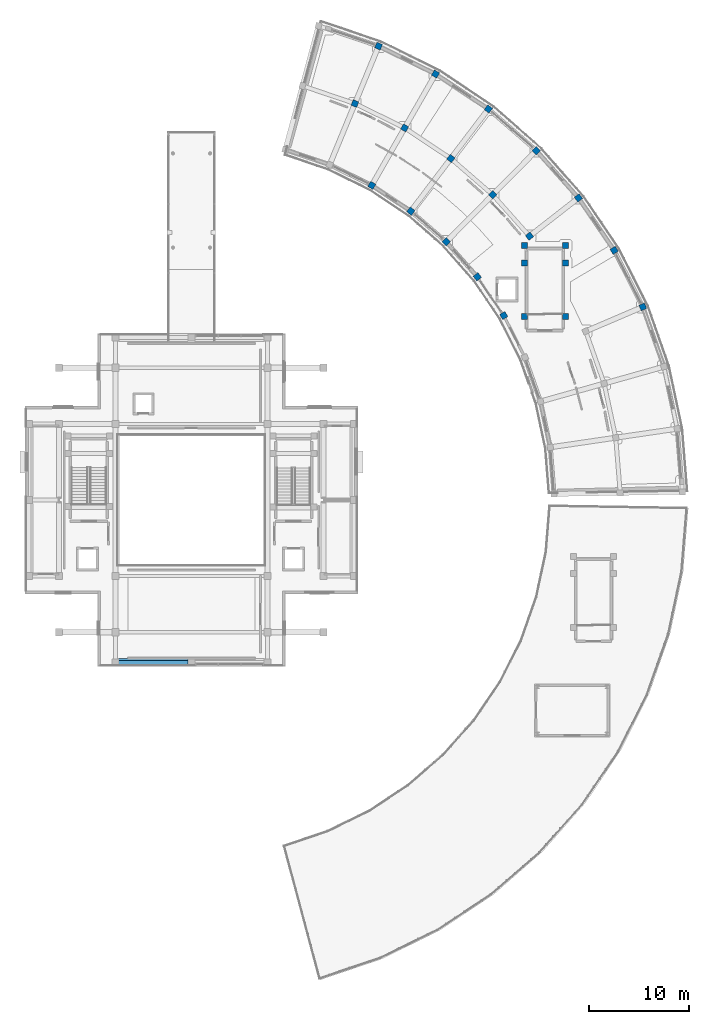
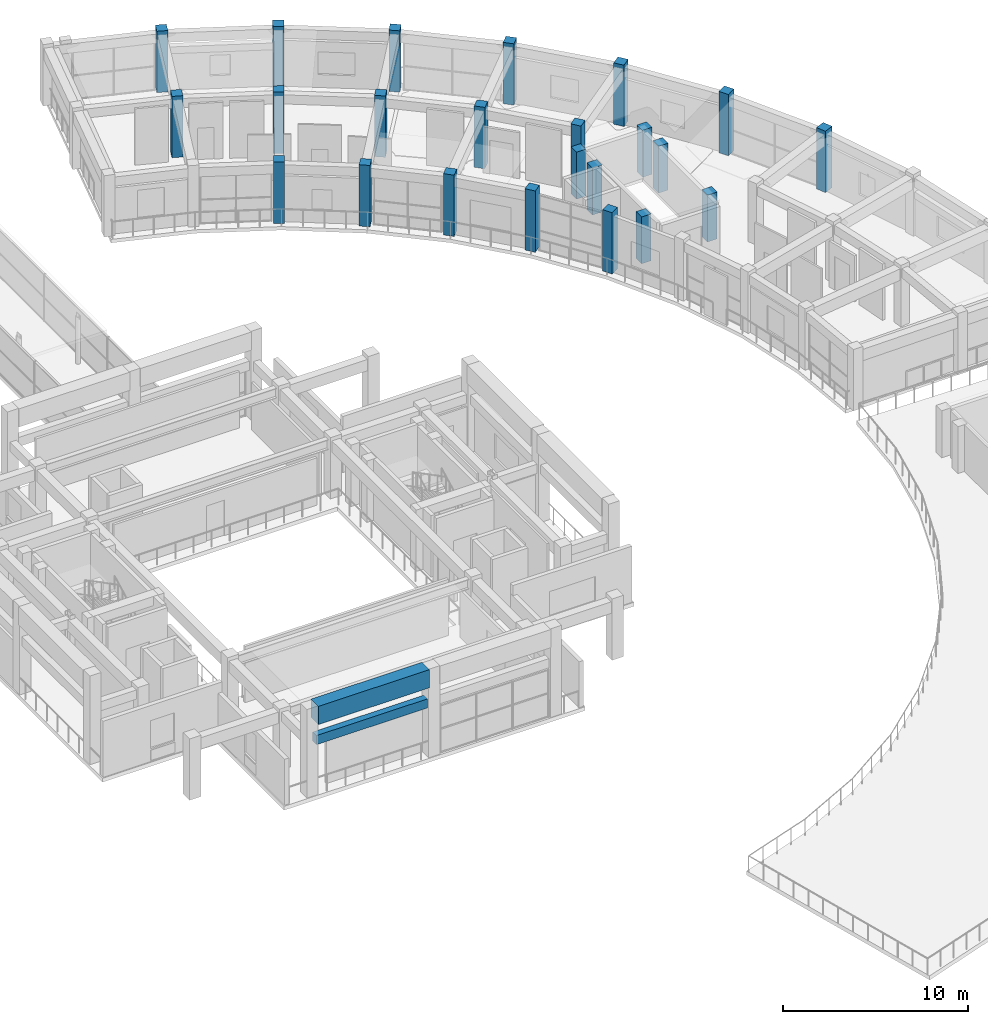
# One storey, part 6 of 29: 23 columns, 2 beams.
"""IFC4 building model written with IfcOpenShell, lengths in metres."""

from ifc_helpers import new_model, si_unit, direction, frame, origin, origin_2d, place, context, subcontext, project, spatial, rectangle, extrude, material, material_profile, profile_set, type_object, element, save


model = new_model("IFC4")

# Units and contexts
model_context = context("Model", 3, precision=1e-05, world=origin(), true_north=direction((0.0, 1.0)))
body_context = subcontext(model_context, "Body", "Model", "MODEL_VIEW")
ifc_project = project(units=[si_unit("LENGTHUNIT", "METRE"), si_unit("AREAUNIT", "SQUARE_METRE"), si_unit("VOLUMEUNIT", "CUBIC_METRE"), si_unit("PLANEANGLEUNIT", "RADIAN"), si_unit("MASSUNIT", "GRAM", prefix="KILO")], contexts=[model_context])

# Site, building, storey
site_placement = place(None, origin())
site = spatial("IfcSite", under=ifc_project, at=site_placement, CompositionType="ELEMENT")
building_placement = place(site_placement, origin())
building = spatial("IfcBuilding", under=site, at=building_placement, Name="Saryqyr Civic Hall", CompositionType="ELEMENT")
storey_placement = place(building_placement, frame((0.0, 0.0, 25.35009765625)))
storey = spatial("IfcBuildingStorey", under=building, at=storey_placement, Name="L06", CompositionType="ELEMENT", Elevation=25.35009765625)

# Columns
ifc_material_1 = material(Name="Concrete C40/50", Category="concrete")
ifc_material_profile_1 = material_profile(ifc_material_1, rectangle(XDim=0.60009765625, YDim=0.60009765625, at=origin_2d()), Name="RC 600x600")
ifc_profile_set_1 = profile_set([ifc_material_profile_1], Name="Concrete C40/50")
column_type = type_object("IfcColumnType", Name="STR-COL-RC600-C40", PredefinedType="COLUMN", material=ifc_profile_set_1)
for number, where, z_axis, x_axis, name in (
    (1, (102.04931640625, 103.275634765625, 0.0), (0.0, 0.0, 1.0), (0.919410138581, 0.393300136124, 0.0), "Column V6-COL-OUT03-L06"),
    (2, (88.16845703125, 102.410888671875, 0.0), (0.0, 0.0, 1.0), (0.861008442465, 0.508590662521, 0.0), "Column V6-COL-IN04-L06"),
    (3, (99.189453125, 108.9208984375, 0.0), (0.0, 0.0, 1.0), (0.861008442465, 0.508590662521, 0.0), "Column V6-COL-OUT04-L06"),
    (4, (85.53564453125, 106.2744140625, 0.0), (0.0, 0.0, 1.0), (0.78822561199, 0.615386370179, 0.0), "Column V6-COL-IN05-L06"),
    (5, (90.73828125, 110.335693359375, 0.0), (0.0, 0.0, 1.0), (0.78822561199, 0.615386370179, 0.0), "Column V6-COL-MID05-L06"),
    (6, (95.625732421875, 114.150634765625, 0.0), (0.0, 0.0, 1.0), (0.78822561199, 0.615386370179, 0.0), "Column V6-COL-OUT05-L06"),
    (7, (82.427001953125, 109.7666015625, 0.0), (0.0, 0.0, 1.0), (0.70240155419, 0.711780904964, 0.0), "Column V6-COL-IN06-L06"),
    (8, (87.062744140625, 114.464111328125, 0.0), (0.0, 0.0, 1.0), (0.70240155419, 0.711780904964, 0.0), "Column V6-COL-MID06-L06"),
    (9, (91.417724609375, 118.877197265625, 0.0), (0.0, 0.0, 1.0), (0.70240155419, 0.711780904964, 0.0), "Column V6-COL-OUT06-L06"),
    (10, (78.89404296875, 112.82861328125, 0.0), (0.0, 0.0, 1.0), (0.60473812635, 0.796424383441, 0.0), "Column V6-COL-IN07-L06"),
    (11, (82.8857421875, 118.084716796875, 0.0), (0.0, 0.0, 1.0), (0.60473812635, 0.796424383441, 0.0), "Column V6-COL-MID07-L06"),
    (12, (86.635498046875, 123.022216796875, 0.0), (0.0, 0.0, 1.0), (0.60473812635, 0.796424383441, 0.0), "Column V6-COL-OUT07-L06"),
    (13, (74.995849609375, 115.409912109375, 0.0), (0.0, 0.0, 1.0), (0.4971254071, 0.867678701833, 0.0), "Column V6-COL-IN08-L06"),
    (14, (78.277099609375, 121.13671875, 0.0), (0.0, 0.0, 1.0), (0.4971254071, 0.867678701833, 0.0), "Column V6-COL-MID08-L06"),
    (15, (81.359130859375, 126.516357421875, 0.0), (0.0, 0.0, 1.0), (0.4971254071, 0.867678701833, 0.0), "Column V6-COL-OUT08-L06"),
    (16, (73.313232421875, 123.569091796875, 0.0), (0.0, 0.0, 1.0), (0.381231734269, 0.924479510204, 0.0), "Column V6-COL-MID09-L06"),
    (17, (75.676513671875, 129.301025390625, 0.0), (0.0, 0.0, 1.0), (0.381231734269, 0.924479510204, 0.0), "Column V6-COL-OUT09-L06"),
):
    element("IfcColumn", number, at=place(storey_placement, frame(where, z_axis=z_axis, x_axis=x_axis)), inside=storey, type_object=column_type, Name=name, PredefinedType="COLUMN", context=body_context, shape_type="SweptSolid", body=[
        extrude(rectangle(XDim=0.60009765625, YDim=0.60009765625, at=origin_2d()), origin(), (0.0, 0.0, 1.0), 4.0498046875),
    ])
for number, where, z_axis, x_axis, name in (
    (18, (94.340087890625, 102.3349609375, 0.0), (0.0, 0.0, 1.0), (1.0, 0.0, 0.0), "Column ST-6-SCOL-TRMA-L06"),
    (19, (90.219970703125, 102.3349609375, 0.0), (0.0, 0.0, 1.0), (1.0, 0.0, 0.0), "Column ST-6-SCOL-TRMB-L06"),
    (20, (94.340087890625, 107.64990234375, 0.0), (0.0, 0.0, 1.0), (1.0, 0.0, 0.0), "Column ST-6-SCOL-LND1A-L06"),
    (21, (90.219970703125, 107.64990234375, 0.0), (0.0, 0.0, 1.0), (1.0, 0.0, 0.0), "Column ST-6-SCOL-LND1B-L06"),
    (22, (94.340087890625, 109.3798828125, 0.0), (0.0, 0.0, 1.0), (1.0, 0.0, 0.0), "Column ST-6-SCOL-LND2A-L06"),
    (23, (90.219970703125, 109.3798828125, 0.0), (0.0, 0.0, 1.0), (1.0, 0.0, 0.0), "Column ST-6-SCOL-LND2B-L06"),
):
    element("IfcColumn", number, at=place(storey_placement, frame(where, z_axis=z_axis, x_axis=x_axis)), inside=storey, type_object=column_type, Name=name, PredefinedType="COLUMN", context=body_context, shape_type="SweptSolid", body=[
        extrude(rectangle(XDim=0.60009765625, YDim=0.60009765625, at=origin_2d()), origin(), (0.0, 0.0, 1.0), 3.099853515625),
    ])

# Beams
ifc_material_2 = material(Name="Concrete C35/45", Category="concrete")
ifc_material_profile_2 = material_profile(ifc_material_2, rectangle(XDim=0.39990234375, YDim=0.60009765625, at=origin_2d()), Name="RC 400x600")
ifc_profile_set_2 = profile_set([ifc_material_profile_2], Name="Concrete C35/45")
beam_type_1 = type_object("IfcBeamType", Name="STR-BM-RC400x600", PredefinedType="BEAM", material=ifc_profile_set_2)
beam_1_placement = place(storey_placement, frame((49.72509765625, 67.800048828125, 3.5), z_axis=(1.0, 0.0, 0.0), x_axis=(0.0, 1.0, 0.0)))
element("IfcBeam", 24, at=beam_1_placement, inside=storey, type_object=beam_type_1, Name="Beam V1-TBM-15-L06", PredefinedType="BEAM", context=body_context, shape_type="SweptSolid", body=[
    extrude(rectangle(XDim=0.39990234375, YDim=0.60009765625, at=origin_2d()), origin(), (0.0, 0.0, 1.0), 6.949951171875),
])
ifc_material_profile_3 = material_profile(ifc_material_1, rectangle(XDim=0.800048828125, YDim=1.199951171875, at=origin_2d()), Name="RC 800x1200")
ifc_profile_set_3 = profile_set([ifc_material_profile_3], Name="Concrete C40/50")
beam_type_2 = type_object("IfcBeamType", Name="STR-BM-RING-RC800x1200", PredefinedType="BEAM", material=ifc_profile_set_3)
beam_2_placement = place(storey_placement, frame((49.72509765625, 67.800048828125, 5.25), z_axis=(1.0, 0.0, 0.0), x_axis=(0.0, 1.0, 0.0)))
element("IfcBeam", 25, at=beam_2_placement, inside=storey, type_object=beam_type_2, Name="Beam V1-RB31-05", PredefinedType="BEAM", context=body_context, shape_type="SweptSolid", body=[
    extrude(rectangle(XDim=0.800048828125, YDim=1.199951171875, at=origin_2d()), origin(), (0.0, 0.0, 1.0), 6.949951171875),
])

save(model, "model.ifc")
